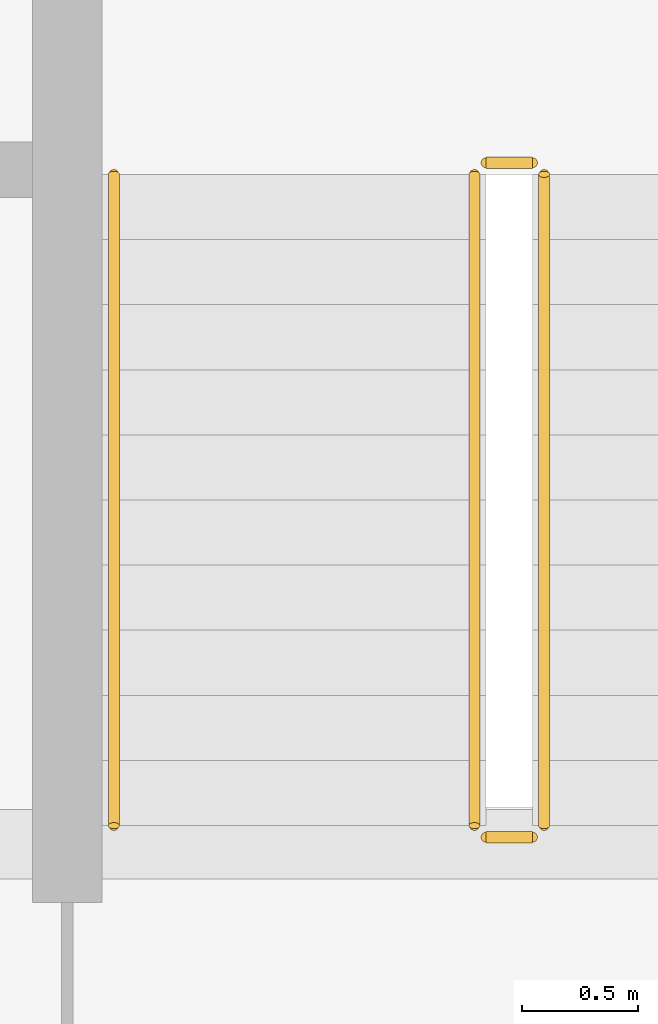
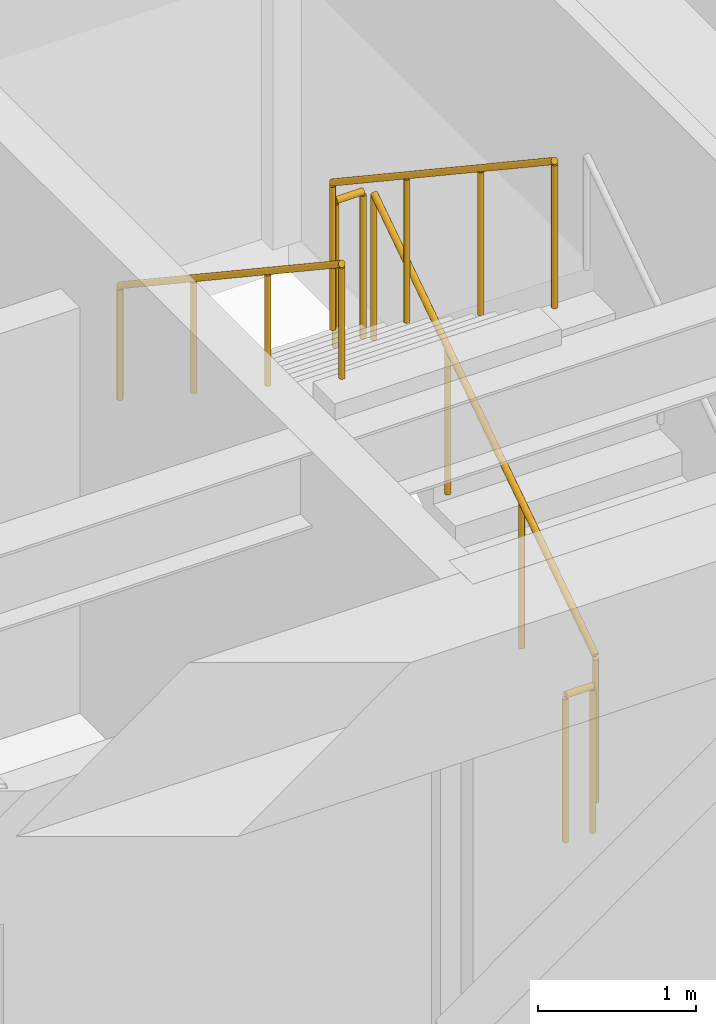
# One storey, part 32 of 33: 5 railings.
"""IFC4 building model written with IfcOpenShell, lengths in metres."""

from ifc_helpers import new_model, si_unit, direction, frame, origin, origin_2d, place, context, subcontext, project, spatial, circle, extrude, source, transform, mapped, material, type_object, type_shapes, element, save


model = new_model("IFC4")

# Units and contexts
model_context = context("Model", 3, precision=1e-05, world=origin(), true_north=direction((0.0, 1.0)))
body_context = subcontext(model_context, "Body", "Model", "MODEL_VIEW")
ifc_project = project(units=[si_unit("LENGTHUNIT", "METRE"), si_unit("AREAUNIT", "SQUARE_METRE"), si_unit("VOLUMEUNIT", "CUBIC_METRE"), si_unit("PLANEANGLEUNIT", "RADIAN"), si_unit("MASSUNIT", "GRAM", prefix="KILO")], contexts=[model_context])

# Site, building, storey
site_placement = place(None, origin())
site = spatial("IfcSite", under=ifc_project, at=site_placement, CompositionType="ELEMENT")
building_placement = place(site_placement, origin())
building = spatial("IfcBuilding", under=site, at=building_placement, Name="Haelvirn Gate Laboratories", CompositionType="ELEMENT")
storey_placement = place(building_placement, frame((0.0, 0.0, 133.800048828125)))
storey = spatial("IfcBuildingStorey", under=building, at=storey_placement, Name="L32", CompositionType="ELEMENT", Elevation=133.800048828125)

# Railings
ifc_material_1 = material(Name="Galvanised steel SM355 & stainless top rail", Category="steel")
railing_type_1 = type_object("IfcRailingType", Name="RL-GUARD-1150", PredefinedType="GUARDRAIL", material=ifc_material_1)
shared_shape_1 = source(origin(), body_context, "Body", "SweptSolid", [
    extrude(circle(Radius=0.02392578125, at=origin_2d()), frame((0.0, 0.0, 1.1259765625), z_axis=(0.0, 0.832452072856, 0.554097055034), x_axis=(-1.0, 0.0, 0.0)), (0.0, 0.0, 1.0), 3.363525390625),
    extrude(circle(Radius=0.02099609375, at=origin_2d()), origin(), (0.0, 0.0, 1.0), 1.101806640625),
    extrude(circle(Radius=0.02099609375, at=origin_2d()), frame((0.0, 0.933349609375, 0.621337890625)), (0.0, 0.0, 1.0), 1.101806640625),
    extrude(circle(Radius=0.02099609375, at=origin_2d()), frame((0.0, 1.86669921875, 1.242431640625)), (0.0, 0.0, 1.0), 1.101806640625),
    extrude(circle(Radius=0.02099609375, at=origin_2d()), frame((0.0, 2.800048828125, 1.86376953125)), (0.0, 0.0, 1.0), 1.101806640625),
])
railing_1_placement = place(storey_placement, frame((65.39990234375, 26.699951171875, 0.186279296875)))
element("IfcRailing", 1, at=railing_1_placement, inside=storey, type_object=railing_type_1, Name="L32 ST2 stair guard 1", PredefinedType="GUARDRAIL", context=body_context, shape_type="MappedRepresentation", body=[
    mapped(shared_shape_1, transform((0.0, 0.0, 0.0), scale=1.0)),
])
shared_shape_2 = source(origin(), body_context, "Body", "SweptSolid", [
    extrude(circle(Radius=0.02392578125, at=origin_2d()), frame((0.0, 0.0, 1.1259765625), z_axis=(0.0, -0.832485552168, 0.554046753832), x_axis=(1.0, 0.0, 0.0)), (0.0, 0.0, 1.0), 3.363525390625),
    extrude(circle(Radius=0.02099609375, at=origin_2d()), origin(), (0.0, 0.0, 1.0), 1.101806640625),
    extrude(circle(Radius=0.02099609375, at=origin_2d()), frame((0.0, -0.933349609375, 0.62109375)), (0.0, 0.0, 1.0), 1.101806640625),
    extrude(circle(Radius=0.02099609375, at=origin_2d()), frame((0.0, -1.86669921875, 1.242431640625)), (0.0, 0.0, 1.0), 1.101806640625),
    extrude(circle(Radius=0.02099609375, at=origin_2d()), frame((0.0, -2.800048828125, 1.863525390625)), (0.0, 0.0, 1.0), 1.101806640625),
])
railing_2_placement = place(storey_placement, frame((65.10009765625, 29.5, 2.236328125)))
element("IfcRailing", 2, at=railing_2_placement, inside=storey, type_object=railing_type_1, Name="L32 ST2 stair guard 3", PredefinedType="GUARDRAIL", context=body_context, shape_type="MappedRepresentation", body=[
    mapped(shared_shape_2, transform((0.0, 0.0, 0.0), scale=1.0)),
])
ifc_material_2 = material(Name="Brushed stainless steel 316L", Category="steel")
railing_type_2 = type_object("IfcRailingType", Name="RL-HAND-920", PredefinedType="HANDRAIL", material=ifc_material_2)
shared_shape_3 = source(origin(), body_context, "Body", "SweptSolid", [
    extrude(circle(Radius=0.02392578125, at=origin_2d()), frame((0.0, 0.0, 0.8759765625), z_axis=(0.0, -0.832485552168, 0.554046753832), x_axis=(1.0, 0.0, 0.0)), (0.0, 0.0, 1.0), 3.363525390625),
    extrude(circle(Radius=0.02099609375, at=origin_2d()), origin(), (0.0, 0.0, 1.0), 0.851806640625),
    extrude(circle(Radius=0.02099609375, at=origin_2d()), frame((0.0, -0.933349609375, 0.62109375)), (0.0, 0.0, 1.0), 0.851806640625),
    extrude(circle(Radius=0.02099609375, at=origin_2d()), frame((0.0, -1.86669921875, 1.242431640625)), (0.0, 0.0, 1.0), 0.851806640625),
    extrude(circle(Radius=0.02099609375, at=origin_2d()), frame((0.0, -2.800048828125, 1.863525390625)), (0.0, 0.0, 1.0), 0.851806640625),
])
type_shapes(railing_type_2, [shared_shape_3])
railing_3_placement = place(storey_placement, frame((63.550048828125, 29.5, 2.236328125)))
element("IfcRailing", 3, at=railing_3_placement, inside=storey, type_object=railing_type_2, Name="L32 ST2 stair handrail 2", PredefinedType="HANDRAIL", context=body_context, shape_type="MappedRepresentation", body=[
    mapped(shared_shape_3, transform((0.0, 0.0, 0.0), scale=1.0)),
])
shared_shape_4 = source(origin(), body_context, "Body", "SweptSolid", [
    extrude(circle(Radius=0.02392578125, at=origin_2d()), frame((0.0, 0.0, 1.1259765625), z_axis=(-1.0, 0.0, 0.0), x_axis=(0.0, -1.0, 0.0)), (0.0, 0.0, 1.0), 0.2001953125),
    extrude(circle(Radius=0.02099609375, at=origin_2d()), origin(), (0.0, 0.0, 1.0), 1.101806640625),
    extrude(circle(Radius=0.02099609375, at=origin_2d()), frame((-0.2001953125, 0.0, 0.0)), (0.0, 0.0, 1.0), 1.101806640625),
])
type_shapes(railing_type_1, [shared_shape_1, shared_shape_2, shared_shape_4])
for number, where, name in (
    (4, (65.35009765625, 29.550048828125, 2.050048828125), "L32 ST2 stair guard 2"),
    (5, (65.35009765625, 26.64990234375, 0.0), "L32 ST2 stair guard 4"),
):
    element("IfcRailing", number, at=place(storey_placement, frame(where)), inside=storey, type_object=railing_type_1, Name=name, PredefinedType="GUARDRAIL", context=body_context, shape_type="MappedRepresentation", body=[
        mapped(shared_shape_4, transform((0.0, 0.0, 0.0), scale=1.0)),
    ])

save(model, "model.ifc")
